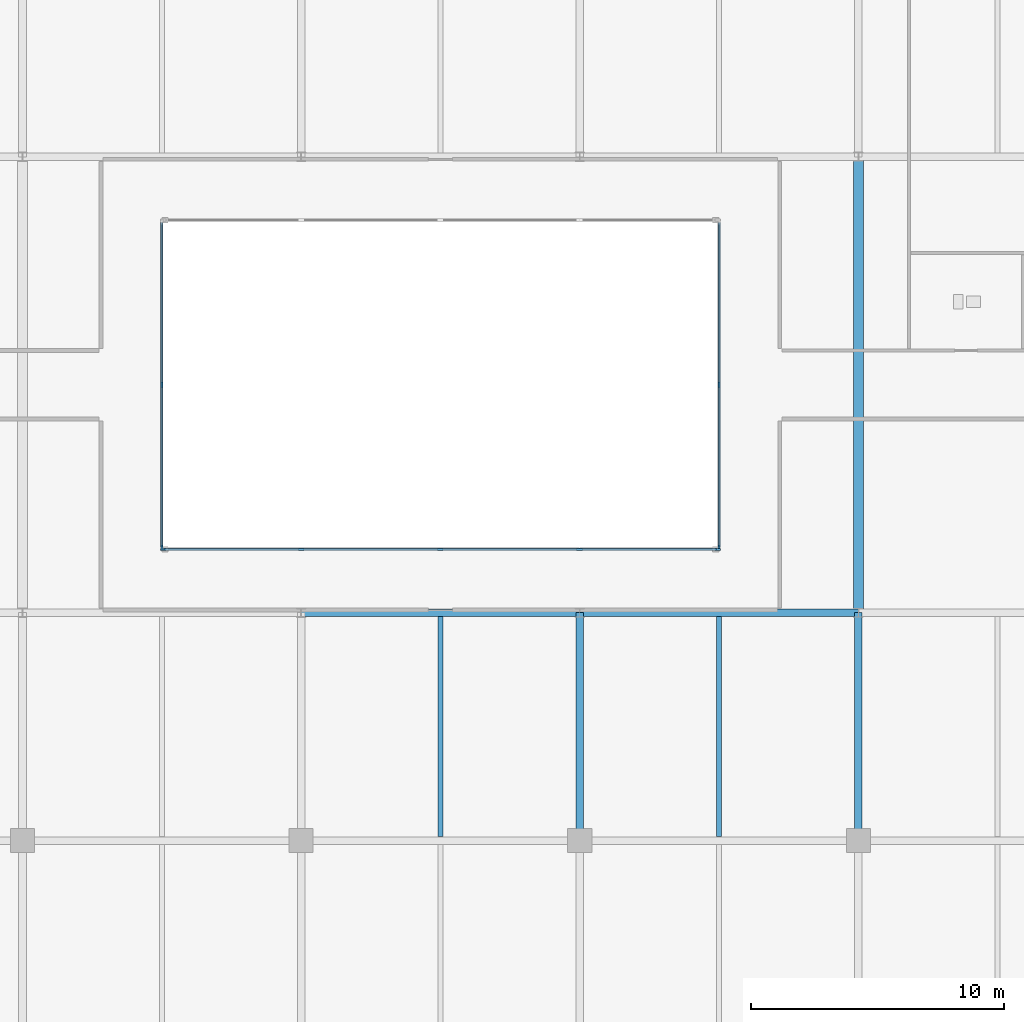
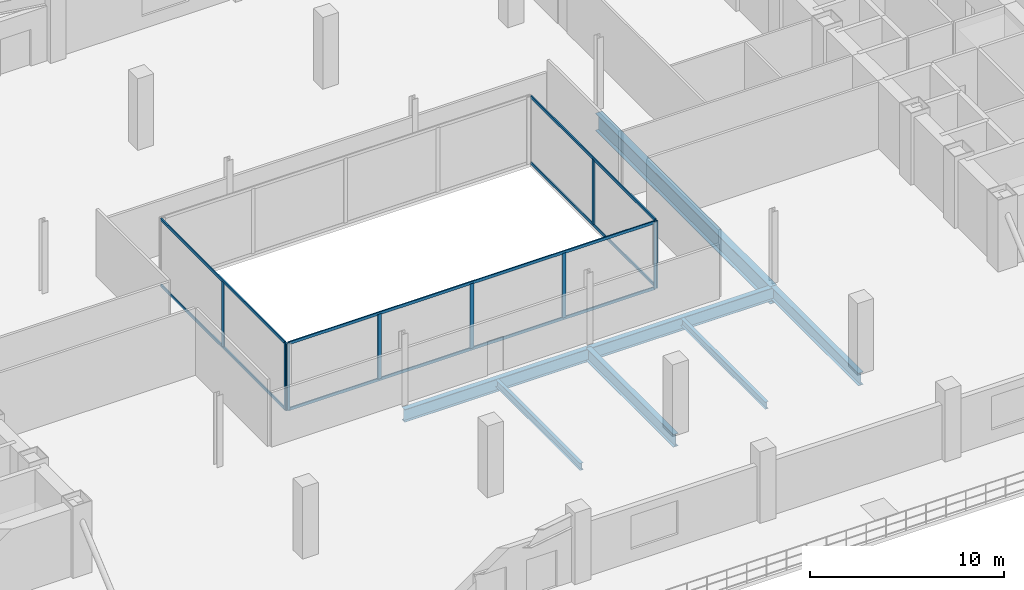
# One storey, part 10 of 25: 15 members, 7 beams, 3 elements without a shape of their own.
"""IFC4 building model written with IfcOpenShell, lengths in metres."""

import ifcopenshell
import ifcopenshell.guid

model = None  # the IFC model being written
_history = None  # IfcOwnerHistory: only IFC2X3 demands one
_inside = {}  # id of a spatial element -> (the spatial element, [elements in it])
_under = {}  # id of a project, library or spatial element -> (it, [spatial elements below it])
_declared = {}  # id of a project -> (the project, [libraries it declares])
_typed = {}  # id of a type object -> (the type object, [elements of that type])
_made_of = {}  # id of a material, layer set ... -> (it, [elements and type objects made of it])


def new_model(schema):
    """Start an empty IFC model of exactly this schema.

    Asked for "IFC4X3", IfcOpenShell would pick the latest addendum, in which some entities
    have other attributes; the version numbers below select the first issue.
    IFC2X3 requires an IfcOwnerHistory on every rooted entity: one is made here for all.
    """
    global model, _history
    if schema == "IFC4X3":
        model = ifcopenshell.file(schema_version=(4, 3, 0, 0))
    else:
        model = ifcopenshell.file(schema=schema)
    _inside.clear()
    _under.clear()
    _declared.clear()
    _typed.clear()
    _made_of.clear()
    _history = None
    if model.schema == "IFC2X3":
        org = make("IfcOrganization", Name="unknown")
        user = make(
            "IfcPersonAndOrganization",
            ThePerson=make("IfcPerson", FamilyName="unknown"),
            TheOrganization=org,
        )
        app = make(
            "IfcApplication",
            ApplicationDeveloper=org,
            Version="unknown",
            ApplicationFullName="unknown",
            ApplicationIdentifier="unknown",
        )
        _history = make(
            "IfcOwnerHistory",
            OwningUser=user,
            OwningApplication=app,
            ChangeAction="ADDED",
            CreationDate=0,
        )
    return model


def make(cls, **values):
    """One entity of the class cls with the attributes given. An attribute that is None is left unset."""
    return model.create_entity(
        cls, **{name: value for name, value in values.items() if value is not None}
    )


def rooted(cls, **values):
    """An entity with a GlobalId (a new one), such as an element, a storey or a relation."""
    return make(cls, GlobalId=ifcopenshell.guid.new(), OwnerHistory=_history, **values)


def si_unit(unit_type, name, prefix=None):
    """IfcSIUnit, for example si_unit("LENGTHUNIT", "METRE", prefix="MILLI")."""
    return make("IfcSIUnit", UnitType=unit_type, Prefix=prefix, Name=name)


def assignment(units):
    """IfcUnitAssignment: the units of a project."""
    return None if units is None else make("IfcUnitAssignment", Units=units)


def point(xyz):
    """IfcCartesianPoint."""
    return None if xyz is None else make("IfcCartesianPoint", Coordinates=xyz)


def direction(xyz):
    """IfcDirection."""
    return None if xyz is None else make("IfcDirection", DirectionRatios=xyz)


def frame(location, z_axis=None, x_axis=None):
    """IfcAxis2Placement3D, a coordinate frame: its origin and axes. An axis left out is left unset."""
    return make(
        "IfcAxis2Placement3D",
        Location=point(location),
        Axis=direction(z_axis),
        RefDirection=direction(x_axis),
    )


def frame_2d(location, x_axis=None):
    """IfcAxis2Placement2D, a coordinate frame in the plane: its origin and x axis."""
    return make(
        "IfcAxis2Placement2D", Location=point(location), RefDirection=direction(x_axis)
    )


def origin():
    """The frame at (0, 0, 0) with its axes left unset."""
    return frame((0.0, 0.0, 0.0))


def origin_2d():
    """The frame at (0, 0) in the plane with its x axis left unset."""
    return frame_2d((0.0, 0.0))


def place(relative_to, where):
    """IfcLocalPlacement: puts the frame where relative to a parent placement (None: the world)."""
    return make(
        "IfcLocalPlacement", PlacementRelTo=relative_to, RelativePlacement=where
    )


def context(
    kind, dimensions, precision=None, world=None, true_north=None, identifier=None
):
    """IfcGeometricRepresentationContext, for example the 3D "Model" context."""
    return make(
        "IfcGeometricRepresentationContext",
        ContextIdentifier=identifier,
        ContextType=kind,
        CoordinateSpaceDimension=dimensions,
        Precision=precision,
        WorldCoordinateSystem=world,
        TrueNorth=true_north,
    )


def subcontext(parent, identifier, kind, view, scale=None):
    """IfcGeometricRepresentationSubContext, for example "Body" below "Model"."""
    return make(
        "IfcGeometricRepresentationSubContext",
        ContextIdentifier=identifier,
        ContextType=kind,
        ParentContext=parent,
        TargetScale=scale,
        TargetView=view,
    )


def project(units=None, contexts=None):
    """IfcProject with its units and contexts."""
    return rooted(
        "IfcProject",
        Name="project",
        RepresentationContexts=contexts,
        UnitsInContext=assignment(units),
    )


def spatial(cls, under=None, at=None, **own):
    """A site, building, storey or space (cls), placed at a placement, below another one or the project."""
    s = rooted(cls, ObjectPlacement=at, **own)
    if under is not None:
        _under.setdefault(under.id(), (under, []))[1].append(s)
    return s


def profile(cls, at=None, kind="AREA", **sizes):
    """A parametric profile (cls). Its sizes go by their IFC names, for example OverallWidth=200.0."""
    return make(cls, ProfileType=kind, Position=at, **sizes)


def rectangle(**sizes):
    """IfcRectangleProfileDef."""
    return profile("IfcRectangleProfileDef", **sizes)


def i_section(**sizes):
    """IfcIShapeProfileDef."""
    return profile("IfcIShapeProfileDef", **sizes)


def extrude(swept, where, along, depth):
    """IfcExtrudedAreaSolid: the profile swept, set in the frame where, extruded along a direction by depth."""
    return make(
        "IfcExtrudedAreaSolid",
        SweptArea=swept,
        Position=where,
        ExtrudedDirection=direction(along),
        Depth=depth,
    )


def shape(context_of_items, identifier, shape_type, items):
    """IfcShapeRepresentation: the items that make up one representation, for example the "Body"."""
    return make(
        "IfcShapeRepresentation",
        ContextOfItems=context_of_items,
        RepresentationIdentifier=identifier,
        RepresentationType=shape_type,
        Items=items,
    )


def source(mapping_origin, context_of_items, identifier, shape_type, items):
    """IfcRepresentationMap: a shape defined once, which mapped items show again and again."""
    return make(
        "IfcRepresentationMap",
        MappingOrigin=mapping_origin,
        MappedRepresentation=shape(context_of_items, identifier, shape_type, items),
    )


def transform(
    local_origin,
    x_axis=None,
    y_axis=None,
    z_axis=None,
    scale=None,
    scale2=None,
    scale3=None,
    uniform=True,
):
    """IfcCartesianTransformationOperator3D, or its non-uniform kind. x_axis, y_axis, z_axis: its Axis1, 2, 3."""
    if uniform:
        return make(
            "IfcCartesianTransformationOperator3D",
            Axis1=direction(x_axis),
            Axis2=direction(y_axis),
            LocalOrigin=point(local_origin),
            Scale=scale,
            Axis3=direction(z_axis),
        )
    return make(
        "IfcCartesianTransformationOperator3DnonUniform",
        Axis1=direction(x_axis),
        Axis2=direction(y_axis),
        LocalOrigin=point(local_origin),
        Scale=scale,
        Axis3=direction(z_axis),
        Scale2=scale2,
        Scale3=scale3,
    )


def mapped(mapping_source, mapping_target):
    """IfcMappedItem: shows the shape of a source again, moved by a transform."""
    return make(
        "IfcMappedItem", MappingSource=mapping_source, MappingTarget=mapping_target
    )


def material(Name=None, Category=None):
    """IfcMaterial."""
    return make("IfcMaterial", Name=Name, Category=Category)


def layer(
    of_material, thickness, ventilated=None, Name=None, Category=None, Priority=None
):
    """IfcMaterialLayer: one layer of a wall or slab, of a material (None: an air gap)."""
    return make(
        "IfcMaterialLayer",
        Material=of_material,
        LayerThickness=thickness,
        IsVentilated=ventilated,
        Name=Name,
        Category=Category,
        Priority=Priority,
    )


def layer_set(layers, Name=None):
    """IfcMaterialLayerSet."""
    return make("IfcMaterialLayerSet", MaterialLayers=layers, LayerSetName=Name)


def material_profile(
    of_material, cross_section, Name=None, Category=None, Priority=None
):
    """IfcMaterialProfile: a cross section and its material."""
    return make(
        "IfcMaterialProfile",
        Name=Name,
        Material=of_material,
        Profile=cross_section,
        Priority=Priority,
        Category=Category,
    )


def profile_set(profiles, Name=None, composite=None):
    """IfcMaterialProfileSet."""
    return make(
        "IfcMaterialProfileSet",
        Name=Name,
        MaterialProfiles=profiles,
        CompositeProfile=composite,
    )


def made_of(thing, what):
    """Note that an element or type object is made of a material, layer set ...; save() writes the relation."""
    if what is not None:
        _made_of.setdefault(what.id(), (what, []))[1].append(thing)
    return thing


def type_object(cls, material=None, **own):
    """A type object (cls), such as IfcWallType, which elements share."""
    return made_of(rooted(cls, **own), material)


def type_shapes(of_type, sources):
    """Give a type object the sources (RepresentationMaps) that its elements show as mapped items."""
    of_type.RepresentationMaps = sources


def element(
    cls,
    number,
    at=None,
    inside=None,
    cuts=None,
    type_object=None,
    material=None,
    context=None,
    identifier="Body",
    shape_type=None,
    held_by="IfcProductDefinitionShape",
    body=None,
    shapes=None,
    **own,
):
    """One element of the class cls, such as IfcWall. Its Tag is "e" and its number.

    at: its placement. inside: the storey or other place that contains it. cuts: it is an
    opening in that element (IfcRelVoidsElement). A single representation is given by context,
    identifier, shape_type and body (its items); several are given by shapes. held_by: the class
    of the entity that holds the representations. save() writes the other relations.
    """
    e = rooted(cls, Tag="e%d" % number, ObjectPlacement=at, **own)
    if body is not None:
        shapes = [shape(context, identifier, shape_type, body)]
    if shapes is not None:
        e.Representation = make(held_by, Representations=shapes)
    if inside is not None:
        _inside.setdefault(inside.id(), (inside, []))[1].append(e)
    if cuts is not None:
        rooted(
            "IfcRelVoidsElement", RelatingBuildingElement=cuts, RelatedOpeningElement=e
        )
    if type_object is not None:
        _typed.setdefault(type_object.id(), (type_object, []))[1].append(e)
    return made_of(e, material)


def aggregate(whole, parts):
    """IfcRelAggregates: a whole, such as a stair, and the parts it consists of."""
    return rooted("IfcRelAggregates", RelatingObject=whole, RelatedObjects=parts)


def save(model, path):
    """Write the relations noted so far, then the file.

    IfcRelAggregates (storeys below a building ...), IfcRelContainedInSpatialStructure (elements
    in a storey), IfcRelDefinesByType, IfcRelAssociatesMaterial and IfcRelDeclares: one each for
    every whole, place, type object, material and project.
    """
    for whole, parts in _under.values():
        aggregate(whole, parts)
    for where, things in _inside.values():
        rooted(
            "IfcRelContainedInSpatialStructure",
            RelatedElements=things,
            RelatingStructure=where,
        )
    for kind, things in _typed.values():
        rooted("IfcRelDefinesByType", RelatedObjects=things, RelatingType=kind)
    for what, things in _made_of.values():
        rooted("IfcRelAssociatesMaterial", RelatedObjects=things, RelatingMaterial=what)
    for by, libraries in _declared.values():
        rooted("IfcRelDeclares", RelatingContext=by, RelatedDefinitions=libraries)
    model.write(path)


model = new_model("IFC4")

# Units and contexts
model_context = context("Model", 3, precision=1e-05, world=origin(), true_north=direction((0.0, 1.0)))
body_context = subcontext(model_context, "Body", "Model", "MODEL_VIEW")
ifc_project = project(units=[si_unit("LENGTHUNIT", "METRE"), si_unit("AREAUNIT", "SQUARE_METRE"), si_unit("VOLUMEUNIT", "CUBIC_METRE"), si_unit("PLANEANGLEUNIT", "RADIAN"), si_unit("MASSUNIT", "GRAM", prefix="KILO")], contexts=[model_context])

# Site, building, storey
site_placement = place(None, origin())
site = spatial("IfcSite", under=ifc_project, at=site_placement, CompositionType="ELEMENT")
building_placement = place(site_placement, origin())
building = spatial("IfcBuilding", under=site, at=building_placement, Name="Seokmaru Belvedere", CompositionType="ELEMENT")
storey_placement = place(building_placement, frame((0.0, 0.0, 5.39990234375)))
storey = spatial("IfcBuildingStorey", under=building, at=storey_placement, Name="L01", CompositionType="ELEMENT", Elevation=5.39990234375)

# Beams
ifc_material_1 = material(Name="Steel SM355 (355 MPa)", Category="steel")
ifc_material_profile_1 = material_profile(ifc_material_1, i_section(OverallWidth=0.300048828125, OverallDepth=0.800048828125, WebThickness=0.013916015625, FlangeThickness=0.02587890625, at=origin_2d()), Name="H-800x300x14x26")
ifc_profile_set_1 = profile_set([ifc_material_profile_1], Name="Steel SM355 (355 MPa)")
beam_type_1 = type_object("IfcBeamType", Name="Podium Primary Girder H-800", PredefinedType="BEAM", material=ifc_profile_set_1)
shared_shape_1 = source(origin(), body_context, "Body", "SweptSolid", [
    extrude(i_section(OverallWidth=0.300048828125, OverallDepth=0.800048828125, WebThickness=0.013916015625, FlangeThickness=0.02587890625, at=origin_2d()), origin(), (0.0, 0.0, 1.0), 9.0),
])
for number, where, z_axis, x_axis, name in (
    (1, (5.5, -18.0, -0.679931640625), (0.0, 1.0, 0.0), (-1.0, 0.0, 0.0), "L01 Central Podium Transverse Girder 3-2"),
    (2, (16.5, -18.0, -0.679931640625), (0.0, 1.0, 0.0), (-1.0, 0.0, 0.0), "L01 Central Podium Transverse Girder 4-2"),
):
    element("IfcBeam", number, at=place(storey_placement, frame(where, z_axis=z_axis, x_axis=x_axis)), inside=storey, type_object=beam_type_1, Name=name, PredefinedType="BEAM", context=body_context, shape_type="MappedRepresentation", body=[
        mapped(shared_shape_1, transform((0.0, 0.0, 0.0), scale=1.0)),
    ])
ifc_material_profile_2 = material_profile(ifc_material_1, i_section(OverallWidth=0.199951171875, OverallDepth=0.449951171875, WebThickness=0.009033203125, FlangeThickness=0.013916015625, at=origin_2d()), Name="H-450x200x9x14")
ifc_profile_set_2 = profile_set([ifc_material_profile_2], Name="Steel SM355 (355 MPa)")
beam_type_2 = type_object("IfcBeamType", Name="Podium Secondary Joist H-450", PredefinedType="JOIST", material=ifc_profile_set_2)
shared_shape_2 = source(origin(), body_context, "Body", "SweptSolid", [
    extrude(i_section(OverallWidth=0.199951171875, OverallDepth=0.449951171875, WebThickness=0.009033203125, FlangeThickness=0.013916015625, at=origin_2d()), origin(), (0.0, 0.0, 1.0), 8.68994140625),
])
type_shapes(beam_type_2, [shared_shape_2])
for number, where, z_axis, x_axis, name in (
    (3, (0.0, -17.844970703125, -0.5048828125), (0.0, 1.0, 0.0), (-1.0, 0.0, 0.0), "L01 Central Podium Secondary Joist 3-2"),
    (4, (11.0, -17.844970703125, -0.5048828125), (0.0, 1.0, 0.0), (-1.0, 0.0, 0.0), "L01 Central Podium Secondary Joist 4-2"),
):
    element("IfcBeam", number, at=place(storey_placement, frame(where, z_axis=z_axis, x_axis=x_axis)), inside=storey, type_object=beam_type_2, Name=name, PredefinedType="JOIST", context=body_context, shape_type="MappedRepresentation", body=[
        mapped(shared_shape_2, transform((0.0, 0.0, 0.0), scale=1.0)),
    ])
shared_shape_3 = source(origin(), body_context, "Body", "SweptSolid", [
    extrude(i_section(OverallWidth=0.300048828125, OverallDepth=0.800048828125, WebThickness=0.013916015625, FlangeThickness=0.02587890625, at=origin_2d()), origin(), (0.0, 0.0, 1.0), 11.0),
])
type_shapes(beam_type_1, [shared_shape_1, shared_shape_3])
for number, where, z_axis, x_axis, name in (
    (5, (-5.5, -9.0, -0.679931640625), (1.0, 0.0, 0.0), (0.0, 1.0, 0.0), "L01 Central Podium Girder 3-3"),
    (6, (5.5, -9.0, -0.679931640625), (1.0, 0.0, 0.0), (0.0, 1.0, 0.0), "L01 Central Podium Girder 3-4"),
):
    element("IfcBeam", number, at=place(storey_placement, frame(where, z_axis=z_axis, x_axis=x_axis)), inside=storey, type_object=beam_type_1, Name=name, PredefinedType="BEAM", context=body_context, shape_type="MappedRepresentation", body=[
        mapped(shared_shape_3, transform((0.0, 0.0, 0.0), scale=1.0)),
    ])
ifc_material_profile_3 = material_profile(ifc_material_1, i_section(OverallWidth=0.39990234375, OverallDepth=1.10009765625, WebThickness=0.02001953125, FlangeThickness=0.033935546875, at=origin_2d()), Name="BH-1100x400x20x34")
ifc_profile_set_3 = profile_set([ifc_material_profile_3], Name="Steel SM355 (355 MPa)")
beam_type_3 = type_object("IfcBeamType", Name="Sky-Gate Transverse Girder BH-1100", PredefinedType="BEAM", material=ifc_profile_set_3)
shared_shape_4 = source(origin(), body_context, "Body", "SweptSolid", [
    extrude(i_section(OverallWidth=0.39990234375, OverallDepth=1.10009765625, WebThickness=0.02001953125, FlangeThickness=0.033935546875, at=origin_2d()), origin(), (0.0, 0.0, 1.0), 18.0),
])
type_shapes(beam_type_3, [shared_shape_4])
beam_placement = place(storey_placement, frame((16.5, -9.0, -0.829833984375), z_axis=(0.0, 1.0, 0.0), x_axis=(-1.0, 0.0, 0.0)))
element("IfcBeam", 7, at=beam_placement, inside=storey, type_object=beam_type_3, Name="L01 Central Podium Transverse Girder 4-3", PredefinedType="BEAM", context=body_context, shape_type="MappedRepresentation", body=[
    mapped(shared_shape_4, transform((0.0, 0.0, 0.0), scale=1.0)),
])

# Curtain wall, members
ifc_material_2 = material(Name="Bronze Triple Insulating Glass", Category="glass")
ifc_layer = layer(ifc_material_2, 0.219970703125)
ifc_layer_set = layer_set([ifc_layer], Name="Bronze Triple Insulating Glass")
curtain_wall_type = type_object("IfcCurtainWallType", Name="Podium Concourse Curtain Wall System CW-1", PredefinedType="NOTDEFINED", material=ifc_layer_set)
curtain_wall_1_placement = place(storey_placement, origin())
curtain_wall_1 = element("IfcCurtainWall", 8, at=curtain_wall_1_placement, inside=storey, type_object=curtain_wall_type, Name="L01 Curtain Wall AT_S", PredefinedType="NOTDEFINED")
ifc_material_3 = material(Name="Anodised Bronze Aluminium", Category="aluminium")
ifc_material_profile_4 = material_profile(ifc_material_3, rectangle(XDim=0.080078125, YDim=0.219970703125, at=origin_2d()), Name="CW-M-80x220")
ifc_profile_set_4 = profile_set([ifc_material_profile_4], Name="Anodised Bronze Aluminium")
member_type_1 = type_object("IfcMemberType", Name="Bronze Unitised Mullion 80x220", PredefinedType="MULLION", material=ifc_profile_set_4)
shared_shape_5 = source(origin(), body_context, "Body", "SweptSolid", [
    extrude(rectangle(XDim=0.080078125, YDim=0.219970703125, at=origin_2d()), origin(), (0.0, 0.0, 1.0), 4.22021484375),
])
member_1_placement = place(storey_placement, frame((-10.93994140625, -6.5, 0.0), z_axis=(0.0, 0.0, 1.0), x_axis=(0.0, 1.0, 0.0)))
member_1 = element("IfcMember", 9, at=member_1_placement, type_object=member_type_1, Name="CW:L01:AT_S Mullion 1", PredefinedType="MULLION", context=body_context, shape_type="MappedRepresentation", body=[
    mapped(shared_shape_5, transform((0.0, 0.0, 0.0), scale=1.0)),
])
member_2_placement = place(storey_placement, frame((10.93994140625, -6.5, 0.0), z_axis=(0.0, 0.0, 1.0), x_axis=(0.0, 1.0, 0.0)))
member_2 = element("IfcMember", 10, at=member_2_placement, type_object=member_type_1, Name="CW:L01:AT_S Mullion 5", PredefinedType="MULLION", context=body_context, shape_type="MappedRepresentation", body=[
    mapped(shared_shape_5, transform((0.0, 0.0, 0.0), scale=1.0)),
])

# Curtain wall, member
curtain_wall_2_placement = place(storey_placement, origin())
curtain_wall_2 = element("IfcCurtainWall", 11, at=curtain_wall_2_placement, inside=storey, type_object=curtain_wall_type, Name="L01 Curtain Wall AT_E", PredefinedType="NOTDEFINED")
member_3_placement = place(storey_placement, frame((11.0, -6.43994140625, 0.0), z_axis=(0.0, 0.0, 1.0), x_axis=(-1.0, 0.0, 0.0)))
member_3 = element("IfcMember", 12, at=member_3_placement, type_object=member_type_1, Name="CW:L01:AT_E Mullion 1", PredefinedType="MULLION", context=body_context, shape_type="MappedRepresentation", body=[
    mapped(shared_shape_5, transform((0.0, 0.0, 0.0), scale=1.0)),
])

curtain_wall_3_placement = place(storey_placement, origin())
curtain_wall_3 = element("IfcCurtainWall", 13, at=curtain_wall_3_placement, inside=storey, type_object=curtain_wall_type, Name="L01 Curtain Wall AT_W", PredefinedType="NOTDEFINED")
member_4_placement = place(storey_placement, frame((-11.0, -6.43994140625, 0.0), z_axis=(0.0, 0.0, 1.0), x_axis=(1.0, 0.0, 0.0)))
member_4 = element("IfcMember", 14, at=member_4_placement, type_object=member_type_1, Name="CW:L01:AT_W Mullion 3", PredefinedType="MULLION", context=body_context, shape_type="MappedRepresentation", body=[
    mapped(shared_shape_5, transform((0.0, 0.0, 0.0), scale=1.0)),
])

# Member
shared_shape_6 = source(origin(), body_context, "Body", "SweptSolid", [
    extrude(rectangle(XDim=0.080078125, YDim=0.219970703125, at=origin_2d()), origin(), (0.0, 0.0, 1.0), 4.06982421875),
])
type_shapes(member_type_1, [shared_shape_5, shared_shape_6])
member_5_placement = place(storey_placement, frame((-5.489990234375, -6.5, 0.0751953125), z_axis=(0.0, 0.0, 1.0), x_axis=(0.0, 1.0, 0.0)))
member_5 = element("IfcMember", 15, at=member_5_placement, type_object=member_type_1, Name="CW:L01:AT_S Mullion 2", PredefinedType="MULLION", context=body_context, shape_type="MappedRepresentation", body=[
    mapped(shared_shape_6, transform((0.0, 0.0, 0.0), scale=1.0)),
])

member_6_placement = place(storey_placement, frame((0.0, -6.5, 0.0751953125), z_axis=(0.0, 0.0, 1.0), x_axis=(0.0, 1.0, 0.0)))
member_6 = element("IfcMember", 16, at=member_6_placement, type_object=member_type_1, Name="CW:L01:AT_S Mullion 3", PredefinedType="MULLION", context=body_context, shape_type="MappedRepresentation", body=[
    mapped(shared_shape_6, transform((0.0, 0.0, 0.0), scale=1.0)),
])

member_7_placement = place(storey_placement, frame((5.489990234375, -6.5, 0.0751953125), z_axis=(0.0, 0.0, 1.0), x_axis=(0.0, 1.0, 0.0)))
member_7 = element("IfcMember", 17, at=member_7_placement, type_object=member_type_1, Name="CW:L01:AT_S Mullion 4", PredefinedType="MULLION", context=body_context, shape_type="MappedRepresentation", body=[
    mapped(shared_shape_6, transform((0.0, 0.0, 0.0), scale=1.0)),
])

member_8_placement = place(storey_placement, frame((11.0, 0.0, 0.0751953125), z_axis=(0.0, 0.0, 1.0), x_axis=(-1.0, 0.0, 0.0)))
member_8 = element("IfcMember", 18, at=member_8_placement, type_object=member_type_1, Name="CW:L01:AT_E Mullion 2", PredefinedType="MULLION", context=body_context, shape_type="MappedRepresentation", body=[
    mapped(shared_shape_6, transform((0.0, 0.0, 0.0), scale=1.0)),
])

member_9_placement = place(storey_placement, frame((-11.0, 0.0, 0.0751953125), z_axis=(0.0, 0.0, 1.0), x_axis=(1.0, 0.0, 0.0)))
member_9 = element("IfcMember", 19, at=member_9_placement, type_object=member_type_1, Name="CW:L01:AT_W Mullion 2", PredefinedType="MULLION", context=body_context, shape_type="MappedRepresentation", body=[
    mapped(shared_shape_6, transform((0.0, 0.0, 0.0), scale=1.0)),
])

ifc_material_profile_5 = material_profile(ifc_material_3, rectangle(XDim=0.074951171875, YDim=0.179931640625, at=origin_2d()), Name="CW-T-75x180")
ifc_profile_set_5 = profile_set([ifc_material_profile_5], Name="Anodised Bronze Aluminium")
member_type_2 = type_object("IfcMemberType", Name="Bronze Unitised Transom 75x180", PredefinedType="USERDEFINED", material=ifc_profile_set_5)
shared_shape_7 = source(origin(), body_context, "Body", "SweptSolid", [
    extrude(rectangle(XDim=0.074951171875, YDim=0.179931640625, at=origin_2d()), origin(), (0.0, 0.0, 1.0), 21.7998046875),
])
member_10_placement = place(storey_placement, frame((-10.89990234375, -6.5, 0.03759765625), z_axis=(1.0, 0.0, 0.0), x_axis=(0.0, 1.0, 0.0)))
member_10 = element("IfcMember", 20, at=member_10_placement, type_object=member_type_2, Name="CW:L01:AT_S Continuous Transom 1", ObjectType="TRANSOM", PredefinedType="USERDEFINED", context=body_context, shape_type="MappedRepresentation", body=[
    mapped(shared_shape_7, transform((0.0, 0.0, 0.0), scale=1.0)),
])

member_11_placement = place(storey_placement, frame((-10.89990234375, -6.5, 4.1826171875), z_axis=(1.0, 0.0, 0.0), x_axis=(0.0, 1.0, 0.0)))
member_11 = element("IfcMember", 21, at=member_11_placement, type_object=member_type_2, Name="CW:L01:AT_S Continuous Transom 2", ObjectType="TRANSOM", PredefinedType="USERDEFINED", context=body_context, shape_type="MappedRepresentation", body=[
    mapped(shared_shape_7, transform((0.0, 0.0, 0.0), scale=1.0)),
])

aggregate(curtain_wall_1, [member_1, member_5, member_6, member_7, member_2, member_10, member_11])

shared_shape_8 = source(origin(), body_context, "Body", "SweptSolid", [
    extrude(rectangle(XDim=0.074951171875, YDim=0.179931640625, at=origin_2d()), origin(), (0.0, 0.0, 1.0), 12.7998046875),
])
type_shapes(member_type_2, [shared_shape_7, shared_shape_8])
member_12_placement = place(storey_placement, frame((11.0, -6.39990234375, 0.03759765625), z_axis=(0.0, 1.0, 0.0), x_axis=(-1.0, 0.0, 0.0)))
member_12 = element("IfcMember", 22, at=member_12_placement, type_object=member_type_2, Name="CW:L01:AT_E Continuous Transom 1", ObjectType="TRANSOM", PredefinedType="USERDEFINED", context=body_context, shape_type="MappedRepresentation", body=[
    mapped(shared_shape_8, transform((0.0, 0.0, 0.0), scale=1.0)),
])

member_13_placement = place(storey_placement, frame((11.0, -6.39990234375, 4.1826171875), z_axis=(0.0, 1.0, 0.0), x_axis=(-1.0, 0.0, 0.0)))
member_13 = element("IfcMember", 23, at=member_13_placement, type_object=member_type_2, Name="CW:L01:AT_E Continuous Transom 2", ObjectType="TRANSOM", PredefinedType="USERDEFINED", context=body_context, shape_type="MappedRepresentation", body=[
    mapped(shared_shape_8, transform((0.0, 0.0, 0.0), scale=1.0)),
])

aggregate(curtain_wall_2, [member_3, member_8, member_12, member_13])

member_14_placement = place(storey_placement, frame((-11.0, 6.39990234375, 0.03759765625), z_axis=(0.0, -1.0, 0.0), x_axis=(1.0, 0.0, 0.0)))
member_14 = element("IfcMember", 24, at=member_14_placement, type_object=member_type_2, Name="CW:L01:AT_W Continuous Transom 1", ObjectType="TRANSOM", PredefinedType="USERDEFINED", context=body_context, shape_type="MappedRepresentation", body=[
    mapped(shared_shape_8, transform((0.0, 0.0, 0.0), scale=1.0)),
])

member_15_placement = place(storey_placement, frame((-11.0, 6.39990234375, 4.1826171875), z_axis=(0.0, -1.0, 0.0), x_axis=(1.0, 0.0, 0.0)))
member_15 = element("IfcMember", 25, at=member_15_placement, type_object=member_type_2, Name="CW:L01:AT_W Continuous Transom 2", ObjectType="TRANSOM", PredefinedType="USERDEFINED", context=body_context, shape_type="MappedRepresentation", body=[
    mapped(shared_shape_8, transform((0.0, 0.0, 0.0), scale=1.0)),
])

aggregate(curtain_wall_3, [member_9, member_4, member_14, member_15])

save(model, "model.ifc")
